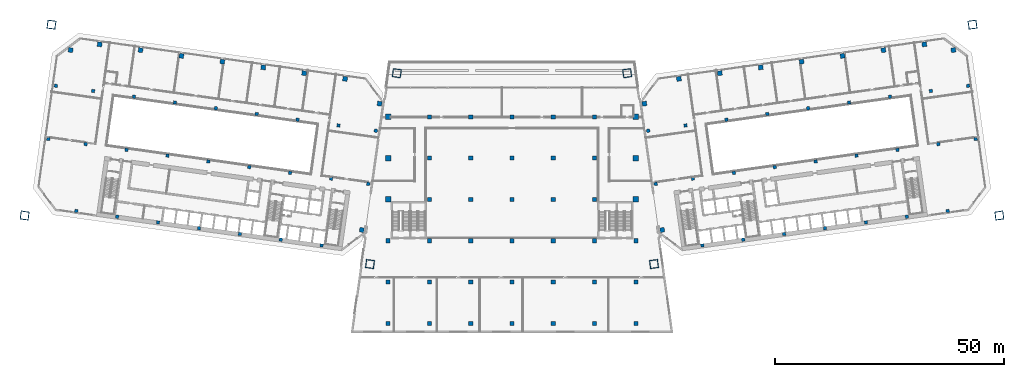
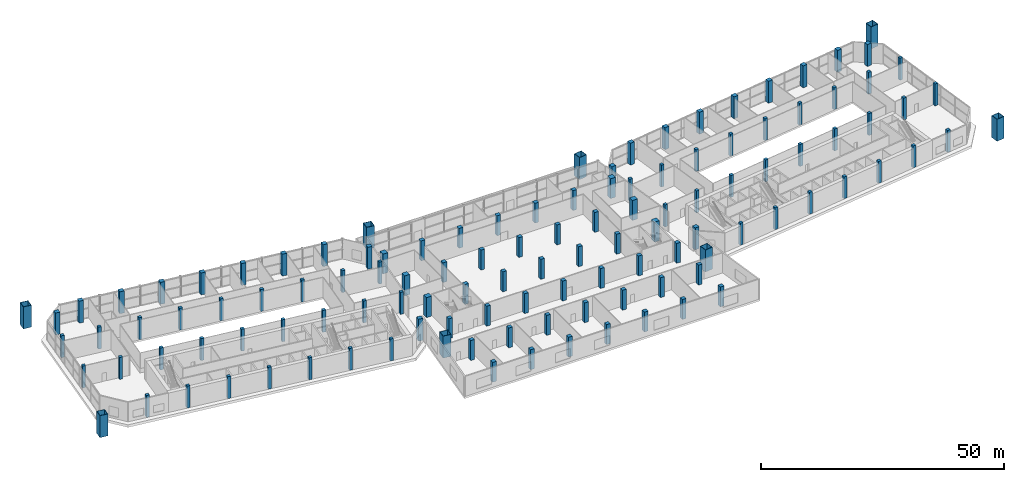
# One storey, part 1 of 23: 120 columns.
"""IFC4 building model written with IfcOpenShell, lengths in metres."""

from ifc_helpers import new_model, si_unit, direction, frame, origin, origin_2d, place, context, subcontext, project, spatial, rectangle, hollow_rectangle, extrude, material, material_profile, profile_set, type_object, element, save


model = new_model("IFC4")

# Units and contexts
model_context = context("Model", 3, precision=1e-05, world=origin(), true_north=direction((0.0, 1.0)))
body_context = subcontext(model_context, "Body", "Model", "MODEL_VIEW")
ifc_project = project(units=[si_unit("LENGTHUNIT", "METRE"), si_unit("AREAUNIT", "SQUARE_METRE"), si_unit("VOLUMEUNIT", "CUBIC_METRE"), si_unit("PLANEANGLEUNIT", "RADIAN"), si_unit("MASSUNIT", "GRAM", prefix="KILO")], contexts=[model_context])

# Site, building, storey
site_placement = place(None, origin())
site = spatial("IfcSite", under=ifc_project, at=site_placement, CompositionType="ELEMENT")
building_placement = place(site_placement, origin())
building = spatial("IfcBuilding", under=site, at=building_placement, Name="Mirante Cascada Hotel Towers", CompositionType="ELEMENT")
storey_placement = place(building_placement, frame((0.0, 0.0, 23.5)))
storey = spatial("IfcBuildingStorey", under=building, at=storey_placement, Name="L03", CompositionType="ELEMENT", Elevation=23.5)

# Columns
ifc_material_1 = material(Name="Steel ASTM A572 Gr 50", Category="steel")
ifc_material_profile_1 = material_profile(ifc_material_1, hollow_rectangle(XDim=1.8, YDim=1.8, WallThickness=0.08, at=origin_2d()), Name="Box column 1800x1800x80 ASTM A572 Gr 50")
ifc_profile_set_1 = profile_set([ifc_material_profile_1], Name="Steel ASTM A572 Gr 50")
column_type_1 = type_object("IfcColumnType", Name="Box column 1800x1800x80 ASTM A572 Gr 50", PredefinedType="COLUMN", material=ifc_profile_set_1)
for number, where, z_axis, x_axis, name in (
    (1, (-25.0968, 18.5173, 0.0), (0.0, 0.0, 1.0), (-0.9902681, 0.1391731, 0.0), "Mega column MC1 T1 L03"),
    (2, (-30.9421, -23.074, 0.0), (0.0, 0.0, 1.0), (-0.9902681, 0.1391731, 0.0), "Mega column MC2 T1 L03"),
    (3, (-100.3572, 29.0944, 0.0), (0.0, 0.0, 1.0), (-0.9902681, 0.1391731, 0.0), "Mega column MC3 T1 L03"),
    (4, (-106.2025, -12.4968, 0.0), (0.0, 0.0, 1.0), (-0.9902681, 0.1391731, 0.0), "Mega column MC4 T1 L03"),
    (5, (25.0968, 18.5173, 0.0), (0.0, 0.0, 1.0), (0.9902681, 0.1391731, 0.0), "Mega column MC1 T2 L03"),
    (6, (30.9421, -23.074, 0.0), (0.0, 0.0, 1.0), (0.9902681, 0.1391731, 0.0), "Mega column MC2 T2 L03"),
    (7, (100.3572, 29.0944, 0.0), (0.0, 0.0, 1.0), (0.9902681, 0.1391731, 0.0), "Mega column MC3 T2 L03"),
    (8, (106.2025, -12.4968, 0.0), (0.0, 0.0, 1.0), (0.9902681, 0.1391731, 0.0), "Mega column MC4 T2 L03"),
):
    element("IfcColumn", number, at=place(storey_placement, frame(where, z_axis=z_axis, x_axis=x_axis)), inside=storey, type_object=column_type_1, Name=name, PredefinedType="COLUMN", context=body_context, shape_type="SweptSolid", body=[
        extrude(hollow_rectangle(XDim=1.8, YDim=1.8, WallThickness=0.08, at=origin_2d()), origin(), (0.0, 0.0, 1.0), 5.5),
    ])
ifc_material_2 = material(Name="Concrete C50/60", Category="concrete")
ifc_material_profile_2 = material_profile(ifc_material_2, rectangle(XDim=1.2, YDim=1.2, at=origin_2d()), Name="RC 1200x1200")
ifc_profile_set_2 = profile_set([ifc_material_profile_2], Name="Concrete C50/60")
column_type_2 = type_object("IfcColumnType", Name="Column RC 1200x1200 C50/60", PredefinedType="COLUMN", material=ifc_profile_set_2)
for number, where, z_axis, x_axis, name in (
    (9, (-27.0, -9.0, 0.0), (0.0, 0.0, 1.0), (1.0, 0.0, 0.0), "col:P:L03:174"),
    (10, (27.0, -9.0, 0.0), (0.0, 0.0, 1.0), (1.0, 0.0, 0.0), "col:P:L03:217"),
    (11, (-27.0, 0.0, 0.0), (0.0, 0.0, 1.0), (1.0, 0.0, 0.0), "col:P:L03:225"),
    (12, (27.0, 0.0, 0.0), (0.0, 0.0, 1.0), (1.0, 0.0, 0.0), "col:P:L03:268"),
    (13, (-27.0, 9.0, 0.0), (0.0, 0.0, 1.0), (1.0, 0.0, 0.0), "col:P:L03:276"),
    (14, (27.0, 9.0, 0.0), (0.0, 0.0, 1.0), (1.0, 0.0, 0.0), "col:P:L03:307"),
):
    element("IfcColumn", number, at=place(storey_placement, frame(where, z_axis=z_axis, x_axis=x_axis)), inside=storey, type_object=column_type_2, Name=name, PredefinedType="COLUMN", context=body_context, shape_type="SweptSolid", body=[
        extrude(rectangle(XDim=1.2, YDim=1.2, at=origin_2d()), origin(), (0.0, 0.0, 1.0), 5.0),
    ])
ifc_material_3 = material(Name="Concrete C50/60", Category="concrete")
ifc_material_profile_3 = material_profile(ifc_material_3, rectangle(XDim=0.9, YDim=0.9, at=origin_2d()), Name="RC 900x900")
ifc_profile_set_3 = profile_set([ifc_material_profile_3], Name="Concrete C50/60")
column_type_3 = type_object("IfcColumnType", Name="Column RC 900x900 C50/60", PredefinedType="COLUMN", material=ifc_profile_set_3)
for number, where, z_axis, x_axis, name in (
    (15, (-27.0, -36.0, 0.0), (0.0, 0.0, 1.0), (1.0, 0.0, 0.0), "col:P:L03:6"),
    (16, (-18.0, -36.0, 0.0), (0.0, 0.0, 1.0), (1.0, 0.0, 0.0), "col:P:L03:14"),
    (17, (-9.0, -36.0, 0.0), (0.0, 0.0, 1.0), (1.0, 0.0, 0.0), "col:P:L03:22"),
    (18, (0.0, -36.0, 0.0), (0.0, 0.0, 1.0), (1.0, 0.0, 0.0), "col:P:L03:30"),
    (19, (9.0, -36.0, 0.0), (0.0, 0.0, 1.0), (1.0, 0.0, 0.0), "col:P:L03:38"),
    (20, (18.0, -36.0, 0.0), (0.0, 0.0, 1.0), (1.0, 0.0, 0.0), "col:P:L03:46"),
    (21, (27.0, -36.0, 0.0), (0.0, 0.0, 1.0), (1.0, 0.0, 0.0), "col:P:L03:54"),
    (22, (-27.0, -27.0, 0.0), (0.0, 0.0, 1.0), (1.0, 0.0, 0.0), "col:P:L03:62"),
    (23, (-18.0, -27.0, 0.0), (0.0, 0.0, 1.0), (1.0, 0.0, 0.0), "col:P:L03:70"),
    (24, (-9.0, -27.0, 0.0), (0.0, 0.0, 1.0), (1.0, 0.0, 0.0), "col:P:L03:78"),
    (25, (0.0, -27.0, 0.0), (0.0, 0.0, 1.0), (1.0, 0.0, 0.0), "col:P:L03:86"),
    (26, (9.0, -27.0, 0.0), (0.0, 0.0, 1.0), (1.0, 0.0, 0.0), "col:P:L03:94"),
    (27, (18.0, -27.0, 0.0), (0.0, 0.0, 1.0), (1.0, 0.0, 0.0), "col:P:L03:102"),
    (28, (27.0, -27.0, 0.0), (0.0, 0.0, 1.0), (1.0, 0.0, 0.0), "col:P:L03:110"),
    (29, (-27.0, -18.0, 0.0), (0.0, 0.0, 1.0), (1.0, 0.0, 0.0), "col:P:L03:118"),
    (30, (-18.0, -18.0, 0.0), (0.0, 0.0, 1.0), (1.0, 0.0, 0.0), "col:P:L03:126"),
    (31, (-9.0, -18.0, 0.0), (0.0, 0.0, 1.0), (1.0, 0.0, 0.0), "col:P:L03:134"),
    (32, (0.0, -18.0, 0.0), (0.0, 0.0, 1.0), (1.0, 0.0, 0.0), "col:P:L03:142"),
    (33, (9.0, -18.0, 0.0), (0.0, 0.0, 1.0), (1.0, 0.0, 0.0), "col:P:L03:150"),
    (34, (18.0, -18.0, 0.0), (0.0, 0.0, 1.0), (1.0, 0.0, 0.0), "col:P:L03:158"),
    (35, (27.0, -18.0, 0.0), (0.0, 0.0, 1.0), (1.0, 0.0, 0.0), "col:P:L03:166"),
    (36, (-18.0, -9.0, 0.0), (0.0, 0.0, 1.0), (1.0, 0.0, 0.0), "col:P:L03:181"),
    (37, (-9.0, -9.0, 0.0), (0.0, 0.0, 1.0), (1.0, 0.0, 0.0), "col:P:L03:188"),
    (38, (0.0, -9.0, 0.0), (0.0, 0.0, 1.0), (1.0, 0.0, 0.0), "col:P:L03:195"),
    (39, (9.0, -9.0, 0.0), (0.0, 0.0, 1.0), (1.0, 0.0, 0.0), "col:P:L03:202"),
    (40, (18.0, -9.0, 0.0), (0.0, 0.0, 1.0), (1.0, 0.0, 0.0), "col:P:L03:209"),
    (41, (-18.0, 0.0, 0.0), (0.0, 0.0, 1.0), (1.0, 0.0, 0.0), "col:P:L03:232"),
    (42, (-9.0, 0.0, 0.0), (0.0, 0.0, 1.0), (1.0, 0.0, 0.0), "col:P:L03:239"),
    (43, (0.0, 0.0, 0.0), (0.0, 0.0, 1.0), (1.0, 0.0, 0.0), "col:P:L03:246"),
    (44, (9.0, 0.0, 0.0), (0.0, 0.0, 1.0), (1.0, 0.0, 0.0), "col:P:L03:253"),
    (45, (18.0, 0.0, 0.0), (0.0, 0.0, 1.0), (1.0, 0.0, 0.0), "col:P:L03:260"),
    (46, (-18.0, 9.0, 0.0), (0.0, 0.0, 1.0), (1.0, 0.0, 0.0), "col:P:L03:281"),
    (47, (-9.0, 9.0, 0.0), (0.0, 0.0, 1.0), (1.0, 0.0, 0.0), "col:P:L03:286"),
    (48, (0.0, 9.0, 0.0), (0.0, 0.0, 1.0), (1.0, 0.0, 0.0), "col:P:L03:291"),
    (49, (9.0, 9.0, 0.0), (0.0, 0.0, 1.0), (1.0, 0.0, 0.0), "col:P:L03:296"),
    (50, (18.0, 9.0, 0.0), (0.0, 0.0, 1.0), (1.0, 0.0, 0.0), "col:P:L03:301"),
):
    element("IfcColumn", number, at=place(storey_placement, frame(where, z_axis=z_axis, x_axis=x_axis)), inside=storey, type_object=column_type_3, Name=name, PredefinedType="COLUMN", context=body_context, shape_type="SweptSolid", body=[
        extrude(rectangle(XDim=0.9, YDim=0.9, at=origin_2d()), origin(), (0.0, 0.0, 1.0), 5.0),
    ])
ifc_material_4 = material(Name="Concrete C60/75", Category="concrete")
ifc_material_profile_4 = material_profile(ifc_material_4, rectangle(XDim=1.0, YDim=1.0, at=origin_2d()), Name="RC column 1000x1000 C60/75")
ifc_profile_set_4 = profile_set([ifc_material_profile_4], Name="Concrete C60/75")
column_type_4 = type_object("IfcColumnType", Name="RC column 1000x1000 C60/75", PredefinedType="COLUMN", material=ifc_profile_set_4)
for number, where, z_axis, x_axis, name in (
    (51, (-28.8577, 11.8761, 0.0), (0.0, 0.0, 1.0), (-0.9902681, 0.1391731, 0.0), "Column T1 L03 1"),
    (52, (-32.7267, -15.6534, 0.0), (0.0, 0.0, 1.0), (-0.9902681, 0.1391731, 0.0), "Column T1 L03 4"),
    (53, (-36.3795, 17.2754, 0.0), (0.0, 0.0, 1.0), (-0.9902681, 0.1391731, 0.0), "Column T1 L03 5"),
    (54, (-45.2919, 18.528, 0.0), (0.0, 0.0, 1.0), (-0.9902681, 0.1391731, 0.0), "Column T1 L03 9"),
    (55, (-54.2043, 19.7806, 0.0), (0.0, 0.0, 1.0), (-0.9902681, 0.1391731, 0.0), "Column T1 L03 13"),
    (56, (-63.1167, 21.0331, 0.0), (0.0, 0.0, 1.0), (-0.9902681, 0.1391731, 0.0), "Column T1 L03 17"),
    (57, (-72.0291, 22.2857, 0.0), (0.0, 0.0, 1.0), (-0.9902681, 0.1391731, 0.0), "Column T1 L03 21"),
    (58, (-80.9415, 23.5382, 0.0), (0.0, 0.0, 1.0), (-0.9902681, 0.1391731, 0.0), "Column T1 L03 25"),
    (59, (-89.8539, 24.7908, 0.0), (0.0, 0.0, 1.0), (-0.9902681, 0.1391731, 0.0), "Column T1 L03 29"),
    (60, (-96.1868, 23.5602, 0.0), (0.0, 0.0, 1.0), (-0.9902681, 0.1391731, 0.0), "Column T1 L03 33"),
    (61, (28.8577, 11.8761, 0.0), (0.0, 0.0, 1.0), (0.9902681, 0.1391731, 0.0), "Column T2 L03 1"),
    (62, (32.7267, -15.6534, 0.0), (0.0, 0.0, 1.0), (0.9902681, 0.1391731, 0.0), "Column T2 L03 4"),
    (63, (36.3795, 17.2754, 0.0), (0.0, 0.0, 1.0), (0.9902681, 0.1391731, 0.0), "Column T2 L03 5"),
    (64, (45.2919, 18.528, 0.0), (0.0, 0.0, 1.0), (0.9902681, 0.1391731, 0.0), "Column T2 L03 9"),
    (65, (54.2043, 19.7806, 0.0), (0.0, 0.0, 1.0), (0.9902681, 0.1391731, 0.0), "Column T2 L03 13"),
    (66, (63.1167, 21.0331, 0.0), (0.0, 0.0, 1.0), (0.9902681, 0.1391731, 0.0), "Column T2 L03 17"),
    (67, (72.0291, 22.2857, 0.0), (0.0, 0.0, 1.0), (0.9902681, 0.1391731, 0.0), "Column T2 L03 21"),
    (68, (80.9415, 23.5382, 0.0), (0.0, 0.0, 1.0), (0.9902681, 0.1391731, 0.0), "Column T2 L03 25"),
    (69, (89.8539, 24.7908, 0.0), (0.0, 0.0, 1.0), (0.9902681, 0.1391731, 0.0), "Column T2 L03 29"),
    (70, (96.1868, 23.5602, 0.0), (0.0, 0.0, 1.0), (0.9902681, 0.1391731, 0.0), "Column T2 L03 33"),
):
    element("IfcColumn", number, at=place(storey_placement, frame(where, z_axis=z_axis, x_axis=x_axis)), inside=storey, type_object=column_type_4, Name=name, PredefinedType="COLUMN", context=body_context, shape_type="SweptSolid", body=[
        extrude(rectangle(XDim=1.0, YDim=1.0, at=origin_2d()), origin(), (0.0, 0.0, 1.0), 5.5),
    ])
ifc_material_5 = material(Name="Concrete C60/75", Category="concrete")
ifc_material_profile_5 = material_profile(ifc_material_5, rectangle(XDim=0.7, YDim=0.7, at=origin_2d()), Name="RC column 700x700 C60/75")
ifc_profile_set_5 = profile_set([ifc_material_profile_5], Name="Concrete C60/75")
column_type_5 = type_object("IfcColumnType", Name="RC column 700x700 C60/75", PredefinedType="COLUMN", material=ifc_profile_set_5)
for number, where, z_axis, x_axis, name in (
    (71, (-29.6858, 5.984, 0.0), (0.0, 0.0, 1.0), (-0.9902681, 0.1391731, 0.0), "Column T1 L03 2"),
    (72, (-31.3141, -5.6022, 0.0), (0.0, 0.0, 1.0), (-0.9902681, 0.1391731, 0.0), "Column T1 L03 3"),
    (73, (-37.806, 7.1252, 0.0), (0.0, 0.0, 1.0), (-0.9902681, 0.1391731, 0.0), "Column T1 L03 6"),
    (74, (-39.4343, -4.4609, 0.0), (0.0, 0.0, 1.0), (-0.9902681, 0.1391731, 0.0), "Column T1 L03 7"),
    (75, (-41.4802, -19.0179, 0.0), (0.0, 0.0, 1.0), (-0.9902681, 0.1391731, 0.0), "Column T1 L03 8"),
    (76, (-46.7184, 8.3777, 0.0), (0.0, 0.0, 1.0), (-0.9902681, 0.1391731, 0.0), "Column T1 L03 10"),
    (77, (-48.3467, -3.2084, 0.0), (0.0, 0.0, 1.0), (-0.9902681, 0.1391731, 0.0), "Column T1 L03 11"),
    (78, (-50.3926, -17.7653, 0.0), (0.0, 0.0, 1.0), (-0.9902681, 0.1391731, 0.0), "Column T1 L03 12"),
    (79, (-55.6308, 9.6303, 0.0), (0.0, 0.0, 1.0), (-0.9902681, 0.1391731, 0.0), "Column T1 L03 14"),
    (80, (-57.2591, -1.9558, 0.0), (0.0, 0.0, 1.0), (-0.9902681, 0.1391731, 0.0), "Column T1 L03 15"),
    (81, (-59.305, -16.5128, 0.0), (0.0, 0.0, 1.0), (-0.9902681, 0.1391731, 0.0), "Column T1 L03 16"),
    (82, (-64.5432, 10.8829, 0.0), (0.0, 0.0, 1.0), (-0.9902681, 0.1391731, 0.0), "Column T1 L03 18"),
    (83, (-66.1716, -0.7033, 0.0), (0.0, 0.0, 1.0), (-0.9902681, 0.1391731, 0.0), "Column T1 L03 19"),
    (84, (-68.2174, -15.2602, 0.0), (0.0, 0.0, 1.0), (-0.9902681, 0.1391731, 0.0), "Column T1 L03 20"),
    (85, (-73.4556, 12.1354, 0.0), (0.0, 0.0, 1.0), (-0.9902681, 0.1391731, 0.0), "Column T1 L03 22"),
    (86, (-75.084, 0.5493, 0.0), (0.0, 0.0, 1.0), (-0.9902681, 0.1391731, 0.0), "Column T1 L03 23"),
    (87, (-77.1298, -14.0077, 0.0), (0.0, 0.0, 1.0), (-0.9902681, 0.1391731, 0.0), "Column T1 L03 24"),
    (88, (-82.368, 13.388, 0.0), (0.0, 0.0, 1.0), (-0.9902681, 0.1391731, 0.0), "Column T1 L03 26"),
    (89, (-83.9964, 1.8018, 0.0), (0.0, 0.0, 1.0), (-0.9902681, 0.1391731, 0.0), "Column T1 L03 27"),
    (90, (-86.0422, -12.7551, 0.0), (0.0, 0.0, 1.0), (-0.9902681, 0.1391731, 0.0), "Column T1 L03 28"),
    (91, (-91.2805, 14.6405, 0.0), (0.0, 0.0, 1.0), (-0.9902681, 0.1391731, 0.0), "Column T1 L03 30"),
    (92, (-92.9088, 3.0544, 0.0), (0.0, 0.0, 1.0), (-0.9902681, 0.1391731, 0.0), "Column T1 L03 31"),
    (93, (-94.9546, -11.5025, 0.0), (0.0, 0.0, 1.0), (-0.9902681, 0.1391731, 0.0), "Column T1 L03 32"),
    (94, (-99.4007, 15.7818, 0.0), (0.0, 0.0, 1.0), (-0.9902681, 0.1391731, 0.0), "Column T1 L03 34"),
    (95, (-101.029, 4.1956, 0.0), (0.0, 0.0, 1.0), (-0.9902681, 0.1391731, 0.0), "Column T1 L03 35"),
    (96, (29.6858, 5.984, 0.0), (0.0, 0.0, 1.0), (0.9902681, 0.1391731, 0.0), "Column T2 L03 2"),
    (97, (31.3141, -5.6022, 0.0), (0.0, 0.0, 1.0), (0.9902681, 0.1391731, 0.0), "Column T2 L03 3"),
    (98, (37.806, 7.1252, 0.0), (0.0, 0.0, 1.0), (0.9902681, 0.1391731, 0.0), "Column T2 L03 6"),
    (99, (39.4343, -4.4609, 0.0), (0.0, 0.0, 1.0), (0.9902681, 0.1391731, 0.0), "Column T2 L03 7"),
    (100, (41.4802, -19.0179, 0.0), (0.0, 0.0, 1.0), (0.9902681, 0.1391731, 0.0), "Column T2 L03 8"),
    (101, (46.7184, 8.3777, 0.0), (0.0, 0.0, 1.0), (0.9902681, 0.1391731, 0.0), "Column T2 L03 10"),
    (102, (48.3467, -3.2084, 0.0), (0.0, 0.0, 1.0), (0.9902681, 0.1391731, 0.0), "Column T2 L03 11"),
    (103, (50.3926, -17.7653, 0.0), (0.0, 0.0, 1.0), (0.9902681, 0.1391731, 0.0), "Column T2 L03 12"),
    (104, (55.6308, 9.6303, 0.0), (0.0, 0.0, 1.0), (0.9902681, 0.1391731, 0.0), "Column T2 L03 14"),
    (105, (57.2591, -1.9558, 0.0), (0.0, 0.0, 1.0), (0.9902681, 0.1391731, 0.0), "Column T2 L03 15"),
    (106, (59.305, -16.5128, 0.0), (0.0, 0.0, 1.0), (0.9902681, 0.1391731, 0.0), "Column T2 L03 16"),
    (107, (64.5432, 10.8829, 0.0), (0.0, 0.0, 1.0), (0.9902681, 0.1391731, 0.0), "Column T2 L03 18"),
    (108, (66.1716, -0.7033, 0.0), (0.0, 0.0, 1.0), (0.9902681, 0.1391731, 0.0), "Column T2 L03 19"),
    (109, (68.2174, -15.2602, 0.0), (0.0, 0.0, 1.0), (0.9902681, 0.1391731, 0.0), "Column T2 L03 20"),
    (110, (73.4556, 12.1354, 0.0), (0.0, 0.0, 1.0), (0.9902681, 0.1391731, 0.0), "Column T2 L03 22"),
    (111, (75.084, 0.5493, 0.0), (0.0, 0.0, 1.0), (0.9902681, 0.1391731, 0.0), "Column T2 L03 23"),
    (112, (77.1298, -14.0077, 0.0), (0.0, 0.0, 1.0), (0.9902681, 0.1391731, 0.0), "Column T2 L03 24"),
    (113, (82.368, 13.388, 0.0), (0.0, 0.0, 1.0), (0.9902681, 0.1391731, 0.0), "Column T2 L03 26"),
    (114, (83.9964, 1.8018, 0.0), (0.0, 0.0, 1.0), (0.9902681, 0.1391731, 0.0), "Column T2 L03 27"),
    (115, (86.0422, -12.7551, 0.0), (0.0, 0.0, 1.0), (0.9902681, 0.1391731, 0.0), "Column T2 L03 28"),
    (116, (91.2805, 14.6405, 0.0), (0.0, 0.0, 1.0), (0.9902681, 0.1391731, 0.0), "Column T2 L03 30"),
    (117, (92.9088, 3.0544, 0.0), (0.0, 0.0, 1.0), (0.9902681, 0.1391731, 0.0), "Column T2 L03 31"),
    (118, (94.9546, -11.5025, 0.0), (0.0, 0.0, 1.0), (0.9902681, 0.1391731, 0.0), "Column T2 L03 32"),
    (119, (99.4007, 15.7818, 0.0), (0.0, 0.0, 1.0), (0.9902681, 0.1391731, 0.0), "Column T2 L03 34"),
    (120, (101.029, 4.1956, 0.0), (0.0, 0.0, 1.0), (0.9902681, 0.1391731, 0.0), "Column T2 L03 35"),
):
    element("IfcColumn", number, at=place(storey_placement, frame(where, z_axis=z_axis, x_axis=x_axis)), inside=storey, type_object=column_type_5, Name=name, PredefinedType="COLUMN", context=body_context, shape_type="SweptSolid", body=[
        extrude(rectangle(XDim=0.7, YDim=0.7, at=origin_2d()), origin(), (0.0, 0.0, 1.0), 5.5),
    ])

save(model, "model.ifc")
